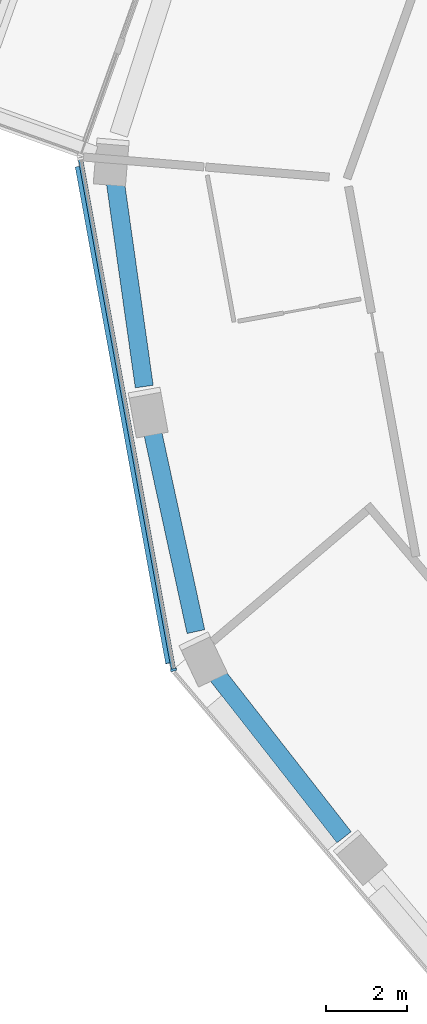
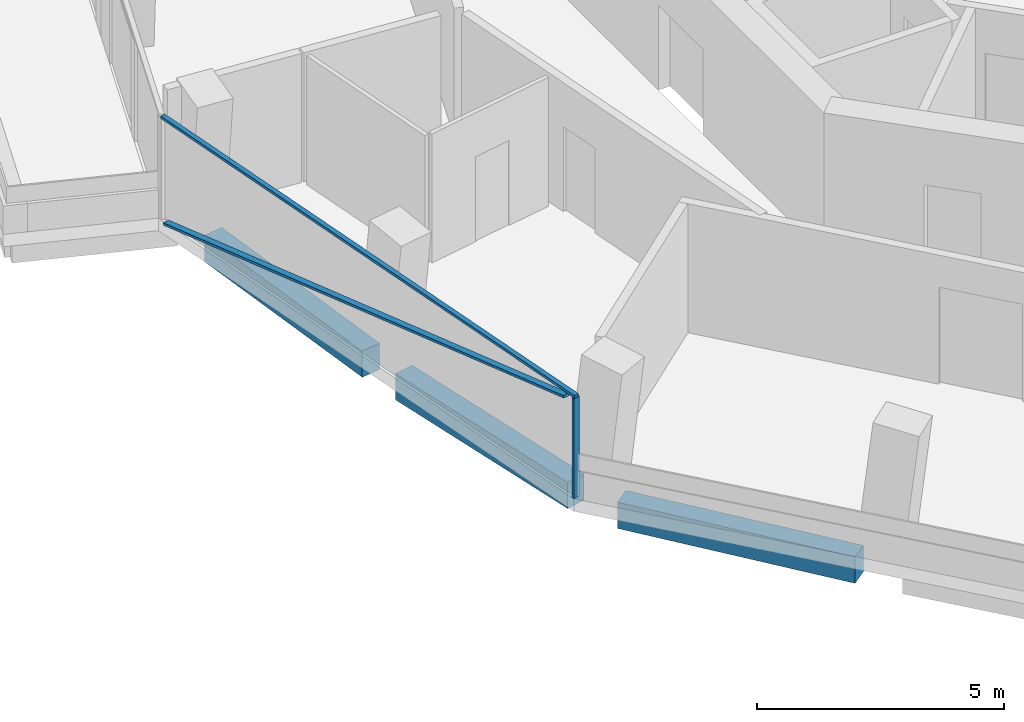
# One storey, part 3 of 21: 3 beams, 3 members, 1 element without a shape of its own.
"""IFC4 building model written with IfcOpenShell, lengths in metres."""

from ifc_helpers import new_model, si_unit, direction, frame, origin, origin_2d, place, context, subcontext, project, spatial, rectangle, extrude, material, layer, layer_set, material_profile, profile_set, type_object, element, aggregate, save


model = new_model("IFC4")

# Units and contexts
model_context = context("Model", 3, precision=1e-05, world=origin(), true_north=direction((0.0, 1.0)))
body_context = subcontext(model_context, "Body", "Model", "MODEL_VIEW")
ifc_project = project(units=[si_unit("LENGTHUNIT", "METRE"), si_unit("AREAUNIT", "SQUARE_METRE"), si_unit("VOLUMEUNIT", "CUBIC_METRE"), si_unit("PLANEANGLEUNIT", "RADIAN"), si_unit("MASSUNIT", "GRAM", prefix="KILO")], contexts=[model_context])

# Site, building, storey
site_placement = place(None, origin())
site = spatial("IfcSite", under=ifc_project, at=site_placement, CompositionType="ELEMENT")
building_placement = place(site_placement, origin())
building = spatial("IfcBuilding", under=site, at=building_placement, Name="Verdalira Terraces Hotel", CompositionType="ELEMENT")
storey_placement = place(building_placement, frame((0.0, 0.0, 197.5)))
storey = spatial("IfcBuildingStorey", under=building, at=storey_placement, Name="L48", CompositionType="ELEMENT", Elevation=197.5)

# Curtain wall, members
ifc_material_1 = material(Name="Clear glass", Category="glass")
ifc_layer = layer(ifc_material_1, 0.14990234375)
ifc_layer_set = layer_set([ifc_layer], Name="CW1 curtain wall")
curtain_wall_type = type_object("IfcCurtainWallType", Name="CW1 curtain wall", PredefinedType="NOTDEFINED", material=ifc_layer_set)
curtain_wall_placement = place(storey_placement, origin())
curtain_wall = element("IfcCurtainWall", 1, at=curtain_wall_placement, inside=storey, type_object=curtain_wall_type, Name="CW1 curtain wall L48 edge 12", PredefinedType="NOTDEFINED")
ifc_material_2 = material(Name="Terracotta frame", Category="masonry")
ifc_material_profile_1 = material_profile(ifc_material_2, rectangle(XDim=0.060059, YDim=0.149902, at=origin_2d()), Name="MU 60x150")
ifc_profile_set_1 = profile_set([ifc_material_profile_1], Name="Terracotta frame")
member_type_1 = type_object("IfcMemberType", Name="CW1 mullion 60x150", PredefinedType="MULLION", material=ifc_profile_set_1)
member_1_placement = place(storey_placement, frame((-22.633057, -10.697754, 0.0), z_axis=(0.0, 0.0, 1.0), x_axis=(0.179145645, -0.983822564, 0.0)))
member_1 = element("IfcMember", 2, at=member_1_placement, type_object=member_type_1, Name="CW1 mullion", PredefinedType="MULLION", context=body_context, shape_type="SweptSolid", body=[
    extrude(rectangle(XDim=0.060059, YDim=0.149902, at=origin_2d()), origin(), (0.0, 0.0, 1.0), 2.475098),
])
ifc_material_3 = material(Name="Terracotta frame", Category="masonry")
ifc_material_profile_2 = material_profile(ifc_material_3, rectangle(XDim=0.110107, YDim=0.064941, at=origin_2d()), Name="TR 65x110")
ifc_profile_set_2 = profile_set([ifc_material_profile_2], Name="Terracotta frame")
member_type_2 = type_object("IfcMemberType", Name="CW1 transom 65x110", PredefinedType="USERDEFINED", material=ifc_profile_set_2)
member_2_placement = place(storey_placement, frame((-24.949463, 2.022949, 2.507568), z_axis=(0.179150673, -0.983821649, 0.0), x_axis=(0.983821649, 0.179150673, 0.0)))
member_2 = element("IfcMember", 3, at=member_2_placement, type_object=member_type_2, Name="CW1 transom", ObjectType="TRANSOM", PredefinedType="USERDEFINED", context=body_context, shape_type="SweptSolid", body=[
    extrude(rectangle(XDim=0.110107, YDim=0.064941, at=origin_2d()), origin(), (0.0, 0.0, 1.0), 12.959961),
])
ifc_material_4 = material(Name="Terracotta frame", Category="masonry")
ifc_material_profile_3 = material_profile(ifc_material_4, rectangle(XDim=0.149902, YDim=0.060059, at=origin_2d()), Name="GB 60x150")
ifc_profile_set_3 = profile_set([ifc_material_profile_3], Name="Terracotta frame")
member_type_3 = type_object("IfcMemberType", Name="Diagonal glazing bar 60x150", PredefinedType="USERDEFINED", material=ifc_profile_set_3)
member_3_placement = place(storey_placement, frame((-24.998535, 1.795654, 0.029785), z_axis=(0.175919655, -0.966037101, 0.189273861), x_axis=(0.983820304, 0.179158056, 0.0)))
member_3 = element("IfcMember", 4, at=member_3_placement, type_object=member_type_3, Name="Diagonal glazing bar", ObjectType="GLAZING BAR", PredefinedType="USERDEFINED", context=body_context, shape_type="SweptSolid", body=[
    extrude(rectangle(XDim=0.149902, YDim=0.060059, at=origin_2d()), origin(), (0.0, 0.0, 1.0), 12.760742),
])
aggregate(curtain_wall, [member_1, member_2, member_3])

# Beams
ifc_material_5 = material(Name="Concrete C50", Category="concrete")
ifc_material_profile_4 = material_profile(ifc_material_5, rectangle(XDim=0.449951, YDim=0.649902, at=origin_2d()), Name="RC 450X650")
ifc_profile_set_4 = profile_set([ifc_material_profile_4], Name="Concrete C50")
beam_type = type_object("IfcBeamType", Name="Spandrel beam RC 450X650 C50", PredefinedType="SPANDREL", material=ifc_profile_set_4)
beam_1_placement = place(storey_placement, frame((-24.085938, 1.477783, -0.63501), z_axis=(0.139979563, -0.990154393, 0.0), x_axis=(0.990154393, 0.139979563, 0.0)))
element("IfcBeam", 5, at=beam_1_placement, inside=storey, type_object=beam_type, Name="Spandrel beam B06", PredefinedType="SPANDREL", context=body_context, shape_type="SweptSolid", body=[
    extrude(rectangle(XDim=0.449951, YDim=0.649902, at=origin_2d()), origin(), (0.0, 0.0, 1.0), 5.192139),
])
beam_2_placement = place(storey_placement, frame((-23.177734, -4.675049, -0.63501), z_axis=(0.212085869, -0.977251034, 0.0), x_axis=(0.977251034, 0.212085869, 0.0)))
element("IfcBeam", 6, at=beam_2_placement, inside=storey, type_object=beam_type, Name="Spandrel beam B07", PredefinedType="SPANDREL", context=body_context, shape_type="SweptSolid", body=[
    extrude(rectangle(XDim=0.449951, YDim=0.649902, at=origin_2d()), origin(), (0.0, 0.0, 1.0), 5.189453),
])
beam_3_placement = place(storey_placement, frame((-21.5979, -10.763184, -0.63501), z_axis=(0.616281637, -0.787525837, 0.0), x_axis=(0.787525837, 0.616281637, 0.0)))
element("IfcBeam", 7, at=beam_3_placement, inside=storey, type_object=beam_type, Name="Spandrel beam B08", PredefinedType="SPANDREL", context=body_context, shape_type="SweptSolid", body=[
    extrude(rectangle(XDim=0.449951, YDim=0.649902, at=origin_2d()), origin(), (0.0, 0.0, 1.0), 5.192383),
])

save(model, "model.ifc")
